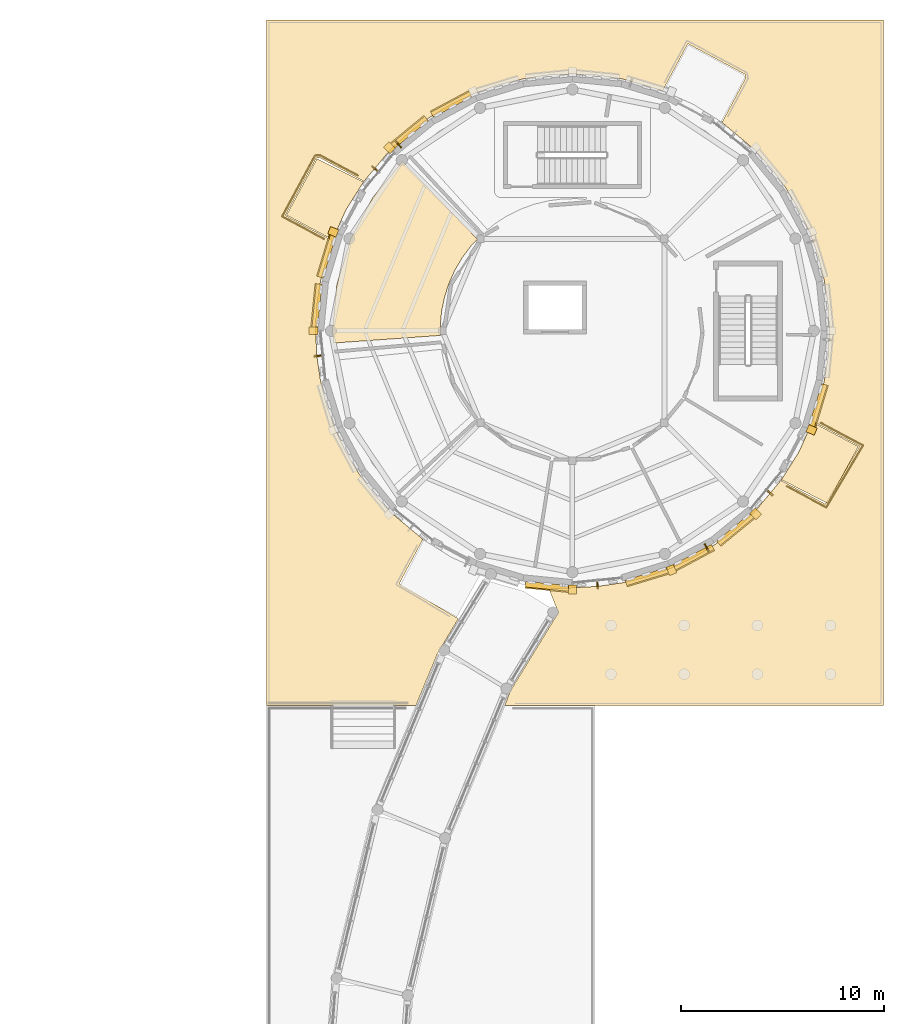
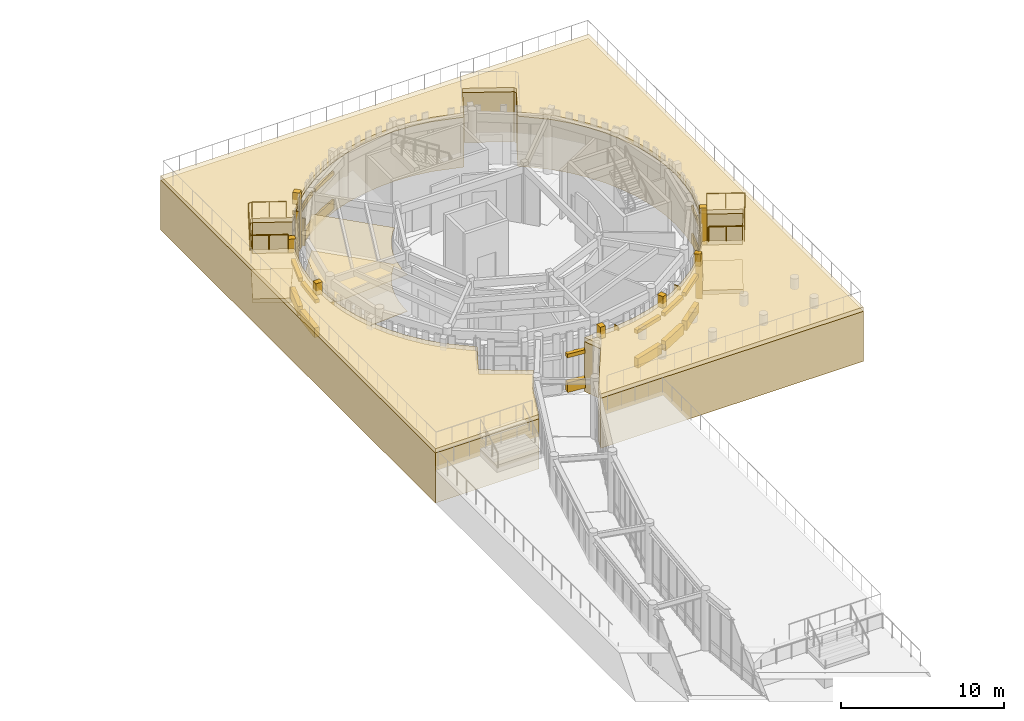
# One storey, part 91 of 94: 31 coverings, 6 shading devices, 2 railings.
"""IFC4 building model written with IfcOpenShell, lengths in metres."""

from ifc_helpers import new_model, si_unit, direction, frame, origin, origin_2d, place, context, subcontext, project, spatial, polyline, rectangle, circle, outline, extrude, material, layer, layer_set, type_object, element, save


model = new_model("IFC4")

# Units and contexts
model_context = context("Model", 3, precision=1e-05, world=origin(), true_north=direction((0.0, 1.0)))
body_context = subcontext(model_context, "Body", "Model", "MODEL_VIEW")
ifc_project = project(units=[si_unit("LENGTHUNIT", "METRE"), si_unit("AREAUNIT", "SQUARE_METRE"), si_unit("VOLUMEUNIT", "CUBIC_METRE"), si_unit("PLANEANGLEUNIT", "RADIAN"), si_unit("MASSUNIT", "GRAM", prefix="KILO")], contexts=[model_context])

# Site, building, storey
site_placement = place(None, origin())
site = spatial("IfcSite", under=ifc_project, at=site_placement, CompositionType="ELEMENT")
building_placement = place(site_placement, origin())
building = spatial("IfcBuilding", under=site, at=building_placement, Name="Aldenvaro Health Centre", CompositionType="ELEMENT")
storey_placement = place(building_placement, origin())
storey = spatial("IfcBuildingStorey", under=building, at=storey_placement, Name="L00", CompositionType="ELEMENT", Elevation=0.0)

# Coverings
ifc_material_1 = material(Name="Antimicrobial Mineral Fibre Ceiling")
ifc_layer_1 = layer(ifc_material_1, 0.01806640625, Name="Antimicrobial Mineral Fibre Ceiling")
ifc_layer_set_1 = layer_set([ifc_layer_1], Name="Antimicrobial Mineral Fibre Ceiling")
covering_type_1 = type_object("IfcCoveringType", Name="COV-CLG-ACT18", PredefinedType="CEILING", material=ifc_layer_set_1)
covering_1_placement = place(storey_placement, frame((0.0, 0.0, 2.75)))
element("IfcCovering", 1, at=covering_1_placement, inside=storey, type_object=covering_type_1, Name="D2-L00-R03 Suspended Ceiling", PredefinedType="CEILING", context=body_context, shape_type="SweptSolid", body=[
    extrude(outline(polyline([(146.135009765625, 107.845947265625), (149.822021484375, 104.014892578125), (149.509033203125, 103.678955078125), (149.491943359375, 103.658935546875), (149.08203125, 103.10888671875), (149.068115234375, 103.0869140625), (148.719970703125, 102.4951171875), (148.7080078125, 102.470947265625), (148.427001953125, 101.844970703125), (148.41796875, 101.821044921875), (148.20703125, 101.1669921875), (148.200927734375, 101.14208984375), (148.06298828125, 100.469970703125), (148.05908203125, 100.444091796875), (147.99609375, 99.760009765625), (147.9951171875, 99.73388671875), (148.001953125, 99.27490234375), (142.740966796875, 98.89794921875), (142.681884765625, 99.5), (142.907958984375, 101.804931640625), (143.5810546875, 104.02294921875), (144.673095703125, 106.06591796875), (146.135009765625, 107.845947265625)])), origin(), (0.0, 0.0, 1.0), 0.01806640625),
])
ifc_material_2 = material(Name="Honed Sonoran Buff Limestone", Category="masonry")
ifc_layer_2 = layer(ifc_material_2, 0.280029296875, Name="Honed Sonoran Buff Limestone", Category="masonry")
ifc_layer_set_2 = layer_set([ifc_layer_2], Name="Honed Sonoran Buff Limestone")
covering_type_2 = type_object("IfcCoveringType", Name="COV-CRN-STN", PredefinedType="CLADDING", material=ifc_layer_set_2)
covering_2_placement = place(storey_placement, frame((166.6201171875, 95.823974609375, 0.0), z_axis=(0.0, 0.0, 1.0), x_axis=(-0.290441245116, -0.956892827403, 0.0)))
element("IfcCovering", 2, at=covering_2_placement, inside=storey, type_object=covering_type_2, Name="D2 L00 Rusticated Limestone Plinth 2.1", PredefinedType="CLADDING", context=body_context, shape_type="SweptSolid", body=[
    extrude(rectangle(XDim=2.15087890625, YDim=0.340087890625, at=origin_2d()), origin(), (0.0, 0.0, 1.0), 0.719970703125),
])
covering_3_placement = place(storey_placement, frame((166.591064453125, 95.83203125, 2.5498046875), z_axis=(0.0, 0.0, 1.0), x_axis=(-0.290441245116, -0.956892827403, 0.0)))
element("IfcCovering", 3, at=covering_3_placement, inside=storey, type_object=covering_type_2, Name="D2 L00 Rusticated Limestone Plinth 2.2", PredefinedType="CLADDING", context=body_context, shape_type="SweptSolid", body=[
    extrude(rectangle(XDim=2.15087890625, YDim=0.280029296875, at=origin_2d()), origin(), (0.0, 0.0, 1.0), 0.280029296875),
])
covering_4_placement = place(storey_placement, frame((166.27001953125, 94.625, -0.00048828125), z_axis=(0.0, 0.0, 1.0), x_axis=(0.923886106593, -0.382667560743, 0.0)))
element("IfcCovering", 4, at=covering_4_placement, inside=storey, type_object=covering_type_2, Name="D2 L00 Engaged Classical Limestone Pilaster 02", PredefinedType="CLADDING", context=body_context, shape_type="SweptSolid", body=[
    extrude(rectangle(XDim=0.43994140625, YDim=0.3798828125, at=origin_2d()), origin(), (0.0, 0.0, 1.0), 4.304931640625),
])
covering_5_placement = place(storey_placement, frame((162.534912109375, 89.7099609375, 0.0), z_axis=(0.0, 0.0, 1.0), x_axis=(-0.773021639749, -0.634379653268, 0.0)))
element("IfcCovering", 5, at=covering_5_placement, inside=storey, type_object=covering_type_2, Name="D2 L00 Rusticated Limestone Plinth 5.1", PredefinedType="CLADDING", context=body_context, shape_type="SweptSolid", body=[
    extrude(rectangle(XDim=2.15087890625, YDim=0.340087890625, at=origin_2d()), origin(), (0.0, 0.0, 1.0), 0.719970703125),
])
covering_6_placement = place(storey_placement, frame((162.51611328125, 89.73291015625, 2.5498046875), z_axis=(0.0, 0.0, 1.0), x_axis=(-0.773021639749, -0.634379653268, 0.0)))
element("IfcCovering", 6, at=covering_6_placement, inside=storey, type_object=covering_type_2, Name="D2 L00 Rusticated Limestone Plinth 5.2", PredefinedType="CLADDING", context=body_context, shape_type="SweptSolid", body=[
    extrude(rectangle(XDim=2.15087890625, YDim=0.280029296875, at=origin_2d()), origin(), (0.0, 0.0, 1.0), 0.280029296875),
])
covering_7_placement = place(storey_placement, frame((163.509033203125, 90.490966796875, -0.00048828125), z_axis=(0.0, 0.0, 1.0), x_axis=(0.707106781187, -0.707106781187, 0.0)))
element("IfcCovering", 7, at=covering_7_placement, inside=storey, type_object=covering_type_2, Name="D2 L00 Engaged Classical Limestone Pilaster 03", PredefinedType="CLADDING", context=body_context, shape_type="SweptSolid", body=[
    extrude(rectangle(XDim=0.43994140625, YDim=0.3798828125, at=origin_2d()), origin(), (0.0, 0.0, 1.0), 4.304931640625),
])
covering_8_placement = place(storey_placement, frame((160.469970703125, 88.330078125, 0.0), z_axis=(0.0, 0.0, 1.0), x_axis=(-0.881919874971, -0.471399336159, 0.0)))
element("IfcCovering", 8, at=covering_8_placement, inside=storey, type_object=covering_type_2, Name="D2 L00 Rusticated Limestone Plinth 6.1", PredefinedType="CLADDING", context=body_context, shape_type="SweptSolid", body=[
    extrude(rectangle(XDim=2.15087890625, YDim=0.340087890625, at=origin_2d()), origin(), (0.0, 0.0, 1.0), 0.719970703125),
])
covering_9_placement = place(storey_placement, frame((160.4560546875, 88.35693359375, 2.5498046875), z_axis=(0.0, 0.0, 1.0), x_axis=(-0.881919874971, -0.471399336159, 0.0)))
element("IfcCovering", 9, at=covering_9_placement, inside=storey, type_object=covering_type_2, Name="D2 L00 Rusticated Limestone Plinth 6.2", PredefinedType="CLADDING", context=body_context, shape_type="SweptSolid", body=[
    extrude(rectangle(XDim=2.15087890625, YDim=0.280029296875, at=origin_2d()), origin(), (0.0, 0.0, 1.0), 0.280029296875),
])
covering_10_placement = place(storey_placement, frame((158.176025390625, 87.3798828125, 0.0), z_axis=(0.0, 0.0, 1.0), x_axis=(-0.956892827403, -0.290441245116, 0.0)))
element("IfcCovering", 10, at=covering_10_placement, inside=storey, type_object=covering_type_2, Name="D2 L00 Rusticated Limestone Plinth 7.1", PredefinedType="CLADDING", context=body_context, shape_type="SweptSolid", body=[
    extrude(rectangle(XDim=2.15087890625, YDim=0.340087890625, at=origin_2d()), origin(), (0.0, 0.0, 1.0), 0.719970703125),
])
covering_11_placement = place(storey_placement, frame((158.16796875, 87.408935546875, 2.5498046875), z_axis=(0.0, 0.0, 1.0), x_axis=(-0.956892827403, -0.290441245116, 0.0)))
element("IfcCovering", 11, at=covering_11_placement, inside=storey, type_object=covering_type_2, Name="D2 L00 Rusticated Limestone Plinth 7.2", PredefinedType="CLADDING", context=body_context, shape_type="SweptSolid", body=[
    extrude(rectangle(XDim=2.15087890625, YDim=0.280029296875, at=origin_2d()), origin(), (0.0, 0.0, 1.0), 0.280029296875),
])
covering_12_placement = place(storey_placement, frame((159.375, 87.72998046875, -0.00048828125), z_axis=(0.0, 0.0, 1.0), x_axis=(0.382667560743, -0.923886106593, 0.0)))
element("IfcCovering", 12, at=covering_12_placement, inside=storey, type_object=covering_type_2, Name="D2 L00 Engaged Classical Limestone Pilaster 04", PredefinedType="CLADDING", context=body_context, shape_type="SweptSolid", body=[
    extrude(rectangle(XDim=0.43994140625, YDim=0.3798828125, at=origin_2d()), origin(), (0.0, 0.0, 1.0), 4.304931640625),
])
covering_13_placement = place(storey_placement, frame((153.259033203125, 86.89599609375, 0.0), z_axis=(0.0, 0.0, 1.0), x_axis=(-0.995194782414, 0.097914988926, 0.0)))
element("IfcCovering", 13, at=covering_13_placement, inside=storey, type_object=covering_type_2, Name="D2 L00 Rusticated Limestone Plinth 9.1", PredefinedType="CLADDING", context=body_context, shape_type="SweptSolid", body=[
    extrude(rectangle(XDim=2.15087890625, YDim=0.340087890625, at=origin_2d()), origin(), (0.0, 0.0, 1.0), 0.719970703125),
])
covering_14_placement = place(storey_placement, frame((153.261962890625, 86.925048828125, 2.5498046875), z_axis=(0.0, 0.0, 1.0), x_axis=(-0.995194782414, 0.097914988926, 0.0)))
element("IfcCovering", 14, at=covering_14_placement, inside=storey, type_object=covering_type_2, Name="D2 L00 Rusticated Limestone Plinth 9.2", PredefinedType="CLADDING", context=body_context, shape_type="SweptSolid", body=[
    extrude(rectangle(XDim=2.15087890625, YDim=0.280029296875, at=origin_2d()), origin(), (0.0, 0.0, 1.0), 0.280029296875),
])
covering_15_placement = place(storey_placement, frame((154.5, 86.760009765625, -0.00048828125), z_axis=(0.0, 0.0, 1.0), x_axis=(0.0, -1.0, 0.0)))
element("IfcCovering", 15, at=covering_15_placement, inside=storey, type_object=covering_type_2, Name="D2 L00 Engaged Classical Limestone Pilaster 05", PredefinedType="CLADDING", context=body_context, shape_type="SweptSolid", body=[
    extrude(rectangle(XDim=0.43994140625, YDim=0.3798828125, at=origin_2d()), origin(), (0.0, 0.0, 1.0), 4.304931640625),
])
covering_16_placement = place(storey_placement, frame((141.89599609375, 100.740966796875, 0.0), z_axis=(0.0, 0.0, 1.0), x_axis=(0.097914988926, 0.995194782414, 0.0)))
element("IfcCovering", 16, at=covering_16_placement, inside=storey, type_object=covering_type_2, Name="D2 L00 Rusticated Limestone Plinth 17.1", PredefinedType="CLADDING", context=body_context, shape_type="SweptSolid", body=[
    extrude(rectangle(XDim=2.15087890625, YDim=0.340087890625, at=origin_2d()), origin(), (0.0, 0.0, 1.0), 0.719970703125),
])
covering_17_placement = place(storey_placement, frame((141.925048828125, 100.738037109375, 2.5498046875), z_axis=(0.0, 0.0, 1.0), x_axis=(0.097914988926, 0.995194782414, 0.0)))
element("IfcCovering", 17, at=covering_17_placement, inside=storey, type_object=covering_type_2, Name="D2 L00 Rusticated Limestone Plinth 17.2", PredefinedType="CLADDING", context=body_context, shape_type="SweptSolid", body=[
    extrude(rectangle(XDim=2.15087890625, YDim=0.280029296875, at=origin_2d()), origin(), (0.0, 0.0, 1.0), 0.280029296875),
])
covering_18_placement = place(storey_placement, frame((141.760009765625, 99.5, -0.00048828125), z_axis=(0.0, 0.0, 1.0), x_axis=(-1.0, 0.0, 0.0)))
element("IfcCovering", 18, at=covering_18_placement, inside=storey, type_object=covering_type_2, Name="D2 L00 Engaged Classical Limestone Pilaster 09", PredefinedType="CLADDING", context=body_context, shape_type="SweptSolid", body=[
    extrude(rectangle(XDim=0.43994140625, YDim=0.3798828125, at=origin_2d()), origin(), (0.0, 0.0, 1.0), 4.304931640625),
])
covering_19_placement = place(storey_placement, frame((142.3798828125, 103.176025390625, 0.0), z_axis=(0.0, 0.0, 1.0), x_axis=(0.290441245116, 0.956892827403, 0.0)))
element("IfcCovering", 19, at=covering_19_placement, inside=storey, type_object=covering_type_2, Name="D2 L00 Rusticated Limestone Plinth 18.1", PredefinedType="CLADDING", context=body_context, shape_type="SweptSolid", body=[
    extrude(rectangle(XDim=2.15087890625, YDim=0.340087890625, at=origin_2d()), origin(), (0.0, 0.0, 1.0), 0.719970703125),
])
covering_20_placement = place(storey_placement, frame((142.408935546875, 103.16796875, 2.5498046875), z_axis=(0.0, 0.0, 1.0), x_axis=(0.290441245116, 0.956892827403, 0.0)))
element("IfcCovering", 20, at=covering_20_placement, inside=storey, type_object=covering_type_2, Name="D2 L00 Rusticated Limestone Plinth 18.2", PredefinedType="CLADDING", context=body_context, shape_type="SweptSolid", body=[
    extrude(rectangle(XDim=2.15087890625, YDim=0.280029296875, at=origin_2d()), origin(), (0.0, 0.0, 1.0), 0.280029296875),
])
covering_21_placement = place(storey_placement, frame((142.72998046875, 104.375, -0.00048828125), z_axis=(0.0, 0.0, 1.0), x_axis=(-0.923886106593, 0.382667560743, 0.0)))
element("IfcCovering", 21, at=covering_21_placement, inside=storey, type_object=covering_type_2, Name="D2 L00 Engaged Classical Limestone Pilaster 10", PredefinedType="CLADDING", context=body_context, shape_type="SweptSolid", body=[
    extrude(rectangle(XDim=0.43994140625, YDim=0.3798828125, at=origin_2d()), origin(), (0.0, 0.0, 1.0), 4.304931640625),
])
covering_22_placement = place(storey_placement, frame((146.465087890625, 109.2900390625, 0.0), z_axis=(0.0, 0.0, 1.0), x_axis=(0.773021639749, 0.634379653268, 0.0)))
element("IfcCovering", 22, at=covering_22_placement, inside=storey, type_object=covering_type_2, Name="D2 L00 Rusticated Limestone Plinth 21.1", PredefinedType="CLADDING", context=body_context, shape_type="SweptSolid", body=[
    extrude(rectangle(XDim=2.15087890625, YDim=0.340087890625, at=origin_2d()), origin(), (0.0, 0.0, 1.0), 0.719970703125),
])
covering_23_placement = place(storey_placement, frame((146.48388671875, 109.26708984375, 2.5498046875), z_axis=(0.0, 0.0, 1.0), x_axis=(0.773021639749, 0.634379653268, 0.0)))
element("IfcCovering", 23, at=covering_23_placement, inside=storey, type_object=covering_type_2, Name="D2 L00 Rusticated Limestone Plinth 21.2", PredefinedType="CLADDING", context=body_context, shape_type="SweptSolid", body=[
    extrude(rectangle(XDim=2.15087890625, YDim=0.280029296875, at=origin_2d()), origin(), (0.0, 0.0, 1.0), 0.280029296875),
])
covering_24_placement = place(storey_placement, frame((145.490966796875, 108.509033203125, -0.00048828125), z_axis=(0.0, 0.0, 1.0), x_axis=(-0.707106781187, 0.707106781187, 0.0)))
element("IfcCovering", 24, at=covering_24_placement, inside=storey, type_object=covering_type_2, Name="D2 L00 Engaged Classical Limestone Pilaster 11", PredefinedType="CLADDING", context=body_context, shape_type="SweptSolid", body=[
    extrude(rectangle(XDim=0.43994140625, YDim=0.3798828125, at=origin_2d()), origin(), (0.0, 0.0, 1.0), 4.304931640625),
])
covering_25_placement = place(storey_placement, frame((148.530029296875, 110.669921875, 0.0), z_axis=(0.0, 0.0, 1.0), x_axis=(0.881919874971, 0.471399336159, 0.0)))
element("IfcCovering", 25, at=covering_25_placement, inside=storey, type_object=covering_type_2, Name="D2 L00 Rusticated Limestone Plinth 22.1", PredefinedType="CLADDING", context=body_context, shape_type="SweptSolid", body=[
    extrude(rectangle(XDim=2.15087890625, YDim=0.340087890625, at=origin_2d()), origin(), (0.0, 0.0, 1.0), 0.719970703125),
])
covering_26_placement = place(storey_placement, frame((148.5439453125, 110.64306640625, 2.5498046875), z_axis=(0.0, 0.0, 1.0), x_axis=(0.881919874971, 0.471399336159, 0.0)))
element("IfcCovering", 26, at=covering_26_placement, inside=storey, type_object=covering_type_2, Name="D2 L00 Rusticated Limestone Plinth 22.2", PredefinedType="CLADDING", context=body_context, shape_type="SweptSolid", body=[
    extrude(rectangle(XDim=2.15087890625, YDim=0.280029296875, at=origin_2d()), origin(), (0.0, 0.0, 1.0), 0.280029296875),
])
covering_27_placement = place(storey_placement, frame((0.0, 0.0, -0.320068359375)))
element("IfcCovering", 27, at=covering_27_placement, inside=storey, type_object=covering_type_2, Name="Upper North Foothill Acropolis Bastion Terrace Rusticated Foothill Stone Plinth 1", PredefinedType="CLADDING", context=body_context, shape_type="SweptSolid", body=[
    extrude(outline(polyline([(139.449951171875, 81.050048828125), (139.449951171875, 114.800048828125), (169.800048828125, 114.800048828125), (169.800048828125, 81.050048828125), (151.1689453125, 81.050048828125), (151.43310546875, 81.761962890625), (153.80810546875, 85.635986328125), (153.343017578125, 86.802978515625), (155.739013671875, 86.9208984375), (156.966064453125, 87.10302734375), (158.1689453125, 87.404052734375), (159.3369140625, 87.822021484375), (160.4580078125, 88.35302734375), (161.52197265625, 88.989990234375), (162.51904296875, 89.72900390625), (163.43798828125, 90.56201171875), (164.761962890625, 92.14306640625), (166.94189453125, 90.97802734375), (168.6298828125, 93.818115234375), (166.318115234375, 95.053955078125), (166.89697265625, 97.033935546875), (167.0791015625, 98.260986328125), (167.139892578125, 99.5), (167.0791015625, 100.739013671875), (166.89697265625, 101.966064453125), (166.595947265625, 103.1689453125), (166.177978515625, 104.3369140625), (165.64697265625, 105.4580078125), (165.010009765625, 106.52197265625), (164.27099609375, 107.51904296875), (163.43798828125, 108.43798828125), (161.85693359375, 109.761962890625), (163.02197265625, 111.94189453125), (162.985107421875, 112.12890625), (160.181884765625, 113.6298828125), (158.946044921875, 111.318115234375), (156.966064453125, 111.89697265625), (155.739013671875, 112.0791015625), (154.5, 112.139892578125), (153.260986328125, 112.0791015625), (152.033935546875, 111.89697265625), (150.8310546875, 111.595947265625), (149.6630859375, 111.177978515625), (148.5419921875, 110.64697265625), (147.47802734375, 110.010009765625), (146.48095703125, 109.27099609375), (145.56201171875, 108.43798828125), (144.238037109375, 106.85693359375), (142.05810546875, 108.02197265625), (141.904052734375, 108.013916015625), (140.3701171875, 105.181884765625), (142.681884765625, 103.946044921875), (142.10302734375, 101.966064453125), (141.9208984375, 100.739013671875), (141.860107421875, 99.5), (141.9208984375, 98.260986328125), (142.10302734375, 97.033935546875), (142.404052734375, 95.8310546875), (142.822021484375, 94.6630859375), (143.35302734375, 93.5419921875), (143.989990234375, 92.47802734375), (144.72900390625, 91.48095703125), (145.56201171875, 90.56201171875), (147.14306640625, 89.238037109375), (145.97802734375, 87.05810546875), (148.885009765625, 85.333984375), (147.85595703125, 83.60888671875), (146.7958984375, 81.050048828125), (139.449951171875, 81.050048828125)])), origin(), (0.0, 0.0, 1.0), 3.75),
])
ifc_material_3 = material(Name="Polished Epoxy Terrazzo Flooring")
ifc_layer_3 = layer(ifc_material_3, 0.02197265625, Name="Polished Epoxy Terrazzo Flooring")
ifc_layer_set_3 = layer_set([ifc_layer_3], Name="Polished Epoxy Terrazzo Flooring")
covering_type_3 = type_object("IfcCoveringType", Name="COV-FLR-TER22", PredefinedType="FLOORING", material=ifc_layer_set_3)
covering_28_placement = place(storey_placement, origin())
element("IfcCovering", 28, at=covering_28_placement, inside=storey, type_object=covering_type_3, Name="D2-L00-R03 Flooring", PredefinedType="FLOORING", context=body_context, shape_type="SweptSolid", body=[
    extrude(outline(polyline([(146.135009765625, 107.845947265625), (149.822021484375, 104.014892578125), (149.509033203125, 103.678955078125), (149.491943359375, 103.658935546875), (149.08203125, 103.10888671875), (149.068115234375, 103.0869140625), (148.719970703125, 102.4951171875), (148.7080078125, 102.470947265625), (148.427001953125, 101.844970703125), (148.41796875, 101.821044921875), (148.20703125, 101.1669921875), (148.200927734375, 101.14208984375), (148.06298828125, 100.469970703125), (148.05908203125, 100.444091796875), (147.99609375, 99.760009765625), (147.9951171875, 99.73388671875), (148.001953125, 99.27490234375), (142.740966796875, 98.89794921875), (142.681884765625, 99.5), (142.907958984375, 101.804931640625), (143.5810546875, 104.02294921875), (144.673095703125, 106.06591796875), (146.135009765625, 107.845947265625)])), origin(), (0.0, 0.0, 1.0), 0.02197265625),
])
ifc_material_4 = material(Name="Honed Sonoran Buff Travertine", Category="masonry")
ifc_layer_4 = layer(ifc_material_4, 0.320068359375, Name="Honed Sonoran Buff Travertine", Category="masonry")
ifc_layer_set_4 = layer_set([ifc_layer_4], Name="Honed Sonoran Buff Travertine")
covering_type_4 = type_object("IfcCoveringType", Name="COV-POD-320", PredefinedType="FLOORING", material=ifc_layer_set_4)
covering_29_placement = place(storey_placement, frame((0.0, 0.0, -0.320068359375)))
element("IfcCovering", 29, at=covering_29_placement, inside=storey, type_object=covering_type_4, Name="South Street Entrance Stylobate Forecourt Section 23", PredefinedType="FLOORING", context=body_context, shape_type="SweptSolid", body=[
    extrude(outline(polyline([(168.574951171875, 93.802001953125), (167.047119140625, 91.012939453125), (164.785888671875, 92.176025390625), (165.64697265625, 93.5419921875), (166.303955078125, 95.01611328125), (168.574951171875, 93.802001953125)])), origin(), (0.0, 0.0, 1.0), 0.320068359375),
])
covering_30_placement = place(storey_placement, frame((0.0, 0.0, -0.320068359375)))
element("IfcCovering", 30, at=covering_30_placement, inside=storey, type_object=covering_type_4, Name="South Street Entrance Stylobate Forecourt Section 24", PredefinedType="FLOORING", context=body_context, shape_type="SweptSolid", body=[
    extrude(outline(polyline([(140.424072265625, 105.197998046875), (141.927978515625, 107.97509765625), (144.214111328125, 106.823974609375), (143.35302734375, 105.4580078125), (142.696044921875, 103.98388671875), (140.424072265625, 105.197998046875)])), origin(), (0.0, 0.0, 1.0), 0.320068359375),
])
covering_31_placement = place(storey_placement, frame((0.0, 0.0, 3.429931640625)))
element("IfcCovering", 31, at=covering_31_placement, inside=storey, type_object=covering_type_4, Name="Upper North Foothill Acropolis Bastion Terrace Coping Deck 1", PredefinedType="FLOORING", context=body_context, shape_type="SweptSolid", body=[
    extrude(outline(polyline([(139.449951171875, 81.050048828125), (139.449951171875, 114.800048828125), (169.800048828125, 114.800048828125), (169.800048828125, 81.050048828125), (151.1689453125, 81.050048828125), (151.43310546875, 81.761962890625), (153.80810546875, 85.635986328125), (153.343017578125, 86.802978515625), (155.739013671875, 86.9208984375), (156.966064453125, 87.10302734375), (158.1689453125, 87.404052734375), (159.3369140625, 87.822021484375), (160.4580078125, 88.35302734375), (161.52197265625, 88.989990234375), (162.51904296875, 89.72900390625), (163.43798828125, 90.56201171875), (164.761962890625, 92.14306640625), (166.94189453125, 90.97802734375), (168.6298828125, 93.818115234375), (166.318115234375, 95.053955078125), (166.89697265625, 97.033935546875), (167.0791015625, 98.260986328125), (167.139892578125, 99.5), (167.0791015625, 100.739013671875), (166.89697265625, 101.966064453125), (166.595947265625, 103.1689453125), (166.177978515625, 104.3369140625), (165.64697265625, 105.4580078125), (165.010009765625, 106.52197265625), (164.27099609375, 107.51904296875), (163.43798828125, 108.43798828125), (161.85693359375, 109.761962890625), (163.02197265625, 111.94189453125), (162.985107421875, 112.12890625), (160.181884765625, 113.6298828125), (158.946044921875, 111.318115234375), (156.966064453125, 111.89697265625), (155.739013671875, 112.0791015625), (154.5, 112.139892578125), (153.260986328125, 112.0791015625), (152.033935546875, 111.89697265625), (150.8310546875, 111.595947265625), (149.6630859375, 111.177978515625), (148.5419921875, 110.64697265625), (147.47802734375, 110.010009765625), (146.48095703125, 109.27099609375), (145.56201171875, 108.43798828125), (144.238037109375, 106.85693359375), (142.05810546875, 108.02197265625), (141.904052734375, 108.013916015625), (140.3701171875, 105.181884765625), (142.681884765625, 103.946044921875), (142.10302734375, 101.966064453125), (141.9208984375, 100.739013671875), (141.860107421875, 99.5), (141.9208984375, 98.260986328125), (142.10302734375, 97.033935546875), (142.404052734375, 95.8310546875), (142.822021484375, 94.6630859375), (143.35302734375, 93.5419921875), (143.989990234375, 92.47802734375), (144.72900390625, 91.48095703125), (145.56201171875, 90.56201171875), (147.14306640625, 89.238037109375), (145.97802734375, 87.05810546875), (148.885009765625, 85.333984375), (147.85595703125, 83.60888671875), (146.7958984375, 81.050048828125), (139.449951171875, 81.050048828125)])), origin(), (0.0, 0.0, 1.0), 0.320068359375),
])

# Railings
ifc_material_5 = material(Name="Painted Architectural Steel", Category="steel")
railing_type = type_object("IfcRailingType", Name="RL-BAL-115", PredefinedType="GUARDRAIL", material=ifc_material_5)
railing_1_placement = place(storey_placement, frame((165.054931640625, 91.85107421875, 3.75)))
element("IfcRailing", 32, at=railing_1_placement, inside=storey, type_object=railing_type, Name="Upper North Foothill Acropolis Bastion Terrace Classical Balustrade 29", PredefinedType="GUARDRAIL", context=body_context, shape_type="SweptSolid", body=[
    extrude(circle(Radius=0.02392578125, at=origin_2d()), frame((0.0, 0.0, 1.1357421875), z_axis=(0.881880546026, -0.471472907536, 0.0), x_axis=(0.471472907536, 0.881880546026, 0.0)), (0.0, 0.0, 1.0), 2.19091796875),
    extrude(circle(Radius=0.02392578125, at=origin_2d()), frame((1.93212890625, -1.032958984375, 1.1357421875), z_axis=(0.510742471974, 0.859733753741, 0.0), x_axis=(-0.859733753741, 0.510742471974, 0.0)), (0.0, 0.0, 1.0), 3.5439453125),
    extrude(circle(Radius=0.02392578125, at=origin_2d()), frame((3.7421875, 2.013916015625, 1.1357421875), z_axis=(-0.881944324657, 0.471353591484, 0.0), x_axis=(-0.471353591484, -0.881944324657, 0.0)), (0.0, 0.0, 1.0), 2.3505859375),
    extrude(circle(Radius=0.02099609375, at=origin_2d()), origin(), (0.0, 0.0, 1.0), 1.11181640625),
    extrude(circle(Radius=0.02099609375, at=origin_2d()), frame((0.966064453125, -0.5166015625, 0.0)), (0.0, 0.0, 1.0), 1.11181640625),
    extrude(circle(Radius=0.02099609375, at=origin_2d()), frame((1.93212890625, -1.032958984375, 0.0)), (0.0, 0.0, 1.0), 1.11181640625),
    extrude(circle(Radius=0.02099609375, at=origin_2d()), frame((2.535400390625, -0.017333984375, 0.0)), (0.0, 0.0, 1.0), 1.11181640625),
    extrude(circle(Radius=0.02099609375, at=origin_2d()), frame((3.138916015625, 0.998291015625, 0.0)), (0.0, 0.0, 1.0), 1.11181640625),
    extrude(circle(Radius=0.02099609375, at=origin_2d()), frame((3.7421875, 2.013916015625, 0.0)), (0.0, 0.0, 1.0), 1.11181640625),
    extrude(circle(Radius=0.02099609375, at=origin_2d()), frame((2.70556640625, 2.56787109375, 0.0)), (0.0, 0.0, 1.0), 1.11181640625),
    extrude(circle(Radius=0.02099609375, at=origin_2d()), frame((1.669189453125, 3.121826171875, 0.0)), (0.0, 0.0, 1.0), 1.11181640625),
])
railing_2_placement = place(storey_placement, frame((143.945068359375, 107.14892578125, 3.75)))
element("IfcRailing", 33, at=railing_2_placement, inside=storey, type_object=railing_type, Name="Upper North Foothill Acropolis Bastion Terrace Classical Balustrade 31", PredefinedType="GUARDRAIL", context=body_context, shape_type="SweptSolid", body=[
    extrude(circle(Radius=0.02392578125, at=origin_2d()), frame((0.0, 0.0, 1.1357421875), z_axis=(-0.881749939894, 0.471717122327, 0.0), x_axis=(-0.471717122327, -0.881749939894, 0.0)), (0.0, 0.0, 1.0), 2.109619140625),
    extrude(circle(Radius=0.02392578125, at=origin_2d()), frame((-1.860107421875, 0.9951171875, 1.1357421875), z_axis=(-0.998448514594, -0.055682705622, 0.0), x_axis=(0.055682705622, -0.998448514594, 0.0)), (0.0, 0.0, 1.0), 0.25439453125),
    extrude(circle(Radius=0.02392578125, at=origin_2d()), frame((-2.114013671875, 0.98095703125, 1.1357421875), z_axis=(-0.476451579463, -0.879200712253, 0.0), x_axis=(0.879200712253, -0.476451579463, 0.0)), (0.0, 0.0, 1.0), 3.40869140625),
    extrude(circle(Radius=0.02392578125, at=origin_2d()), frame((-3.738037109375, -2.015869140625, 1.1357421875), z_axis=(0.881897352996, -0.471441469091, 0.0), x_axis=(0.471441469091, 0.881897352996, 0.0)), (0.0, 0.0, 1.0), 2.345947265625),
    extrude(circle(Radius=0.02099609375, at=origin_2d()), origin(), (0.0, 0.0, 1.0), 1.11181640625),
    extrude(circle(Radius=0.02099609375, at=origin_2d()), frame((-0.93017578125, 0.49755859375, 0.0)), (0.0, 0.0, 1.0), 1.11181640625),
    extrude(circle(Radius=0.02099609375, at=origin_2d()), frame((-1.860107421875, 0.9951171875, 0.0)), (0.0, 0.0, 1.0), 1.11181640625),
    extrude(circle(Radius=0.02099609375, at=origin_2d()), frame((-2.114013671875, 0.98095703125, 0.0)), (0.0, 0.0, 1.0), 1.11181640625),
    extrude(circle(Radius=0.02099609375, at=origin_2d()), frame((-2.6552734375, -0.01806640625, 0.0)), (0.0, 0.0, 1.0), 1.11181640625),
    extrude(circle(Radius=0.02099609375, at=origin_2d()), frame((-3.19677734375, -1.016845703125, 0.0)), (0.0, 0.0, 1.0), 1.11181640625),
    extrude(circle(Radius=0.02099609375, at=origin_2d()), frame((-3.738037109375, -2.015869140625, 0.0)), (0.0, 0.0, 1.0), 1.11181640625),
    extrude(circle(Radius=0.02099609375, at=origin_2d()), frame((-2.70361328125, -2.56884765625, 0.0)), (0.0, 0.0, 1.0), 1.11181640625),
    extrude(circle(Radius=0.02099609375, at=origin_2d()), frame((-1.669189453125, -3.121826171875, 0.0)), (0.0, 0.0, 1.0), 1.11181640625),
])

# Shading devices
ifc_material_6 = material(Name="Douglas Fir Exterior Glulam GL28h", Category="wood")
shading_device_type_1 = type_object("IfcShadingDeviceType", Name="SHD-FIN-205", PredefinedType="USERDEFINED", material=ifc_material_6)
shading_device_1_placement = place(storey_placement, frame((145.946044921875, 108.669921875, -0.02001953125), z_axis=(0.0, 0.0, 1.0), x_axis=(0.773021639749, 0.634379653268, 0.0)))
element("IfcShadingDevice", 34, at=shading_device_1_placement, inside=storey, type_object=shading_device_type_1, Name="D2 L00 Douglas fir fin 21.1", ObjectType="FIN", PredefinedType="USERDEFINED", context=body_context, shape_type="SweptSolid", body=[
    extrude(rectangle(XDim=0.06494140625, YDim=0.419921875, at=origin_2d()), origin(), (0.0, 0.0, 1.0), 2.050048828125),
])
shading_device_type_2 = type_object("IfcShadingDeviceType", Name="SHD-FIN-340", PredefinedType="USERDEFINED", material=ifc_material_6)
for number, where, z_axis, x_axis, name in (
    (35, (164.200927734375, 91.5380859375, -0.02001953125), (0.0, 0.0, 1.0), (-0.634379653268, -0.773021639749, 0.0), "D2 L00 vertical timber fin 4.0"),
    (36, (142.010009765625, 98.27001953125, -0.02001953125), (0.0, 0.0, 1.0), (-0.097914988926, 0.995194782414, 0.0), "D2 L00 vertical timber fin 16.0"),
):
    element("IfcShadingDevice", number, at=place(storey_placement, frame(where, z_axis=z_axis, x_axis=x_axis)), inside=storey, type_object=shading_device_type_2, Name=name, ObjectType="FIN", PredefinedType="USERDEFINED", context=body_context, shape_type="SweptSolid", body=[
        extrude(rectangle(XDim=0.074951171875, YDim=0.419921875, at=origin_2d()), origin(), (0.0, 0.0, 1.0), 3.39990234375),
    ])
shading_device_type_3 = type_object("IfcShadingDeviceType", Name="SHD-FIN-400", PredefinedType="USERDEFINED", material=ifc_material_6)
for number, where, z_axis, x_axis, name in (
    (37, (155.72998046875, 87.010009765625, -0.0205078125), (0.0, 0.0, 1.0), (-0.995194782414, -0.097914988926, 0.0), "D2 L00 vertical timber fin 8.0"),
    (38, (144.799072265625, 107.4619140625, -0.0205078125), (0.0, 0.0, 1.0), (0.634379653268, 0.773021639749, 0.0), "D2 L00 vertical timber fin 20.0"),
):
    element("IfcShadingDevice", number, at=place(storey_placement, frame(where, z_axis=z_axis, x_axis=x_axis)), inside=storey, type_object=shading_device_type_3, Name=name, ObjectType="FIN", PredefinedType="USERDEFINED", context=body_context, shape_type="SweptSolid", body=[
        extrude(rectangle(XDim=0.06494140625, YDim=0.419921875, at=origin_2d()), origin(), (0.0, 0.0, 1.0), 3.698974609375),
    ])
shading_device_type_4 = type_object("IfcShadingDeviceType", Name="SHD-FIN-435", PredefinedType="USERDEFINED", material=ifc_material_6)
shading_device_2_placement = place(storey_placement, frame((161.10107421875, 88.837890625, -0.0205078125), z_axis=(0.0, 0.0, 1.0), x_axis=(-0.881919874971, -0.471399336159, 0.0)))
element("IfcShadingDevice", 39, at=shading_device_2_placement, inside=storey, type_object=shading_device_type_4, Name="D2 L00 Douglas fir fin 6.1", ObjectType="FIN", PredefinedType="USERDEFINED", context=body_context, shape_type="SweptSolid", body=[
    extrude(rectangle(XDim=0.06494140625, YDim=0.419921875, at=origin_2d()), origin(), (0.0, 0.0, 1.0), 3.698974609375),
])

save(model, "model.ifc")
